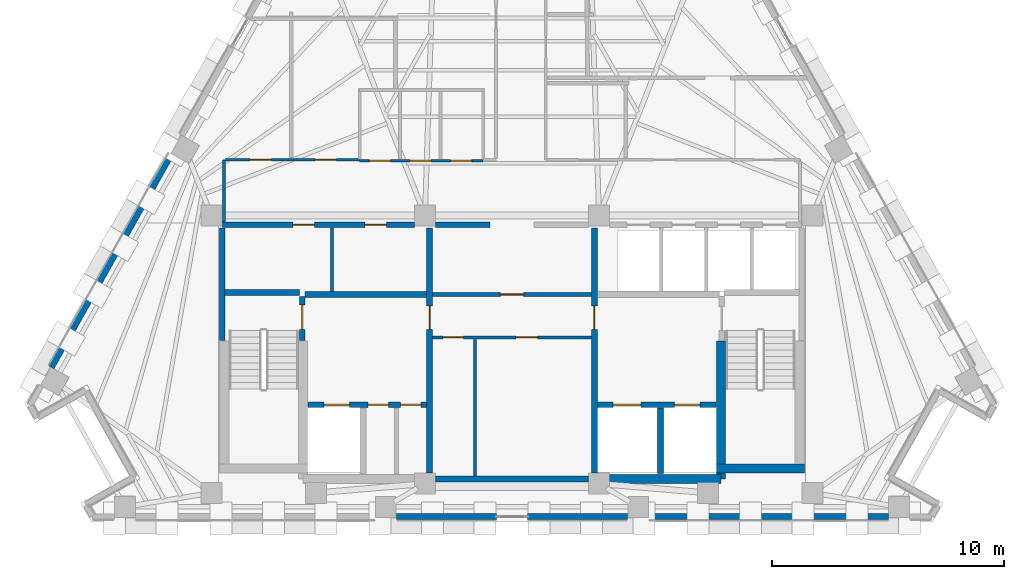
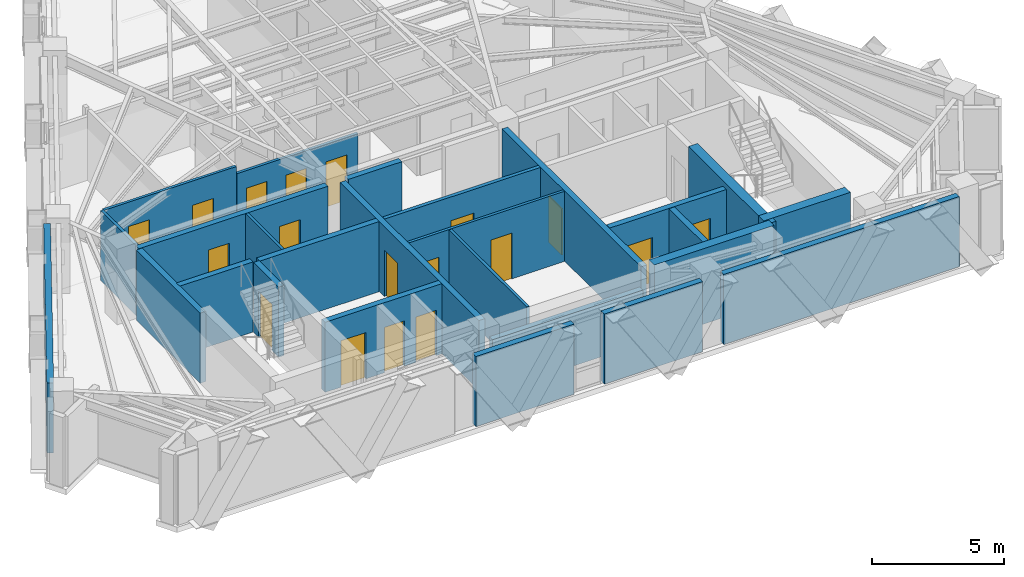
# One storey, part 7 of 12: 26 walls, 18 doors, 18 openings.
"""IFC4 building model written with IfcOpenShell, lengths in metres."""

from ifc_helpers import new_model, si_unit, direction, frame, frame_2d, origin, place, context, subcontext, project, spatial, rectangle, extrude, material, layer, layer_set, type_object, element, fill, save


model = new_model("IFC4")

# Units and contexts
model_context = context("Model", 3, precision=1e-05, world=origin(), true_north=direction((0.0, 1.0)))
body_context = subcontext(model_context, "Body", "Model", "MODEL_VIEW")
ifc_project = project(units=[si_unit("LENGTHUNIT", "METRE"), si_unit("AREAUNIT", "SQUARE_METRE"), si_unit("VOLUMEUNIT", "CUBIC_METRE"), si_unit("PLANEANGLEUNIT", "RADIAN"), si_unit("MASSUNIT", "GRAM", prefix="KILO")], contexts=[model_context])

# Site, building, storey
site_placement = place(None, origin())
site = spatial("IfcSite", under=ifc_project, at=site_placement, CompositionType="ELEMENT")
building_placement = place(site_placement, origin())
building = spatial("IfcBuilding", under=site, at=building_placement, Name="Quenlor Broadcast Tower", CompositionType="ELEMENT")
storey_placement = place(building_placement, frame((0.0, 0.0, 221.89990234375)))
storey = spatial("IfcBuildingStorey", under=building, at=storey_placement, Name="L61", CompositionType="ELEMENT", Elevation=221.89990234375)

# Walls
ifc_material_1 = material(Name="Concrete C50/60", Category="concrete")
ifc_layer_1 = layer(ifc_material_1, 0.39990234375)
ifc_layer_set_1 = layer_set([ifc_layer_1], Name="Core Concrete C50/60 Shear Wall 400")
wall_type_1 = type_object("IfcWallType", Name="Core Concrete C50/60 Shear Wall 400", PredefinedType="SHEAR", material=ifc_layer_set_1)
wall_1_placement = place(storey_placement, frame((3.75, -16.14990234375, 0.0), z_axis=(0.0, 0.0, 1.0), x_axis=(1.0, 0.0, 0.0)))
element("IfcWall", 1, at=wall_1_placement, inside=storey, type_object=wall_type_1, Name="L61 Core Shear Wall WS-E1", PredefinedType="SHEAR", context=body_context, shape_type="SweptSolid", body=[
    extrude(rectangle(XDim=5.25, YDim=0.39990234375, at=frame_2d((2.625, 0.0))), origin(), (0.0, 0.0, 1.0), 3.5),
])
wall_2_placement = place(storey_placement, frame((8.800048828125, -15.699951171875, 0.0), z_axis=(0.0, 0.0, 1.0), x_axis=(1.0, 0.0, 0.0)))
element("IfcWall", 2, at=wall_2_placement, inside=storey, type_object=wall_type_1, Name="L61 Core Shear Wall WS-E2", PredefinedType="SHEAR", context=body_context, shape_type="SweptSolid", body=[
    extrude(rectangle(XDim=3.800048828125, YDim=0.39990234375, at=frame_2d((1.89990234375, 0.0))), origin(), (0.0, 0.0, 1.0), 3.5),
])
wall_3_placement = place(storey_placement, frame((9.0, -16.14990234375, 0.0), z_axis=(0.0, 0.0, 1.0), x_axis=(0.0, 1.0, 0.0)))
element("IfcWall", 3, at=wall_3_placement, inside=storey, type_object=wall_type_1, Name="L61 Core Shear Wall WI-E", PredefinedType="SHEAR", context=body_context, shape_type="SweptSolid", body=[
    extrude(rectangle(XDim=5.949951171875, YDim=0.39990234375, at=frame_2d((2.97509765625, 0.0))), origin(), (0.0, 0.0, 1.0), 3.5),
])

# Wall, opening, door
ifc_material_2 = material(Name="Concrete C40/50", Category="concrete")
ifc_layer_2 = layer(ifc_material_2, 0.25)
ifc_layer_set_2 = layer_set([ifc_layer_2], Name="Fire Rated Concrete C40/50 Core Wall 250")
wall_type_2 = type_object("IfcWallType", Name="Fire Rated Concrete C40/50 Core Wall 250", PredefinedType="PARTITIONING", material=ifc_layer_set_2)
wall_4_placement = place(storey_placement, frame((-9.0400390625, -10.179931640625, 0.0), z_axis=(0.0, 0.0, 1.0), x_axis=(0.0, 1.0, 0.0)))
wall_4 = element("IfcWall", 4, at=wall_4_placement, inside=storey, type_object=wall_type_2, Name="L61 Interior Wall CW-ST1-DR", PredefinedType="PARTITIONING", context=body_context, shape_type="SweptSolid", body=[
    extrude(rectangle(XDim=1.89990234375, YDim=0.25, at=frame_2d((0.949951171875, 0.0))), origin(), (0.0, 0.0, 1.0), 3.25),
])
opening_1_placement = place(wall_4_placement, frame((0.47998046875, 0.0, 0.0)))
opening_1 = element("IfcOpeningElement", 5, at=opening_1_placement, cuts=wall_4, Name="Opening FD-1", PredefinedType="OPENING", context=body_context, shape_type="SweptSolid", body=[
    extrude(rectangle(XDim=1.050048828125, YDim=2.14990234375, at=frame_2d((0.52490234375, 1.074951171875))), frame((0.0, 0.135009765625, 0.0), z_axis=(0.0, -1.0, 0.0), x_axis=(1.0, 0.0, 0.0)), (0.0, 0.0, 1.0), 0.27001953125),
])
ifc_material_3 = material(Name="Fire Rated Steel Door Leaf", Category="steel")
door_type_1 = type_object("IfcDoorType", Name="Fire Isolated Stair Door 1050x2150", OperationType="NOTDEFINED", PredefinedType="DOOR", material=ifc_material_3)
door_1_placement = place(opening_1_placement, origin())
door_1 = element("IfcDoor", 6, at=door_1_placement, inside=storey, type_object=door_type_1, Name="L61 Door DR-ST1", OperationType="SINGLE_SWING_LEFT", OverallHeight=2.14990234375, OverallWidth=1.050048828125, PredefinedType="DOOR", context=body_context, shape_type="SweptSolid", body=[
    extrude(rectangle(XDim=1.050048828125, YDim=2.14990234375, at=frame_2d((0.52490234375, 1.074951171875))), frame((0.0, 0.02490234375, 0.0), z_axis=(0.0, -1.0, 0.0), x_axis=(1.0, 0.0, 0.0)), (0.0, 0.0, 1.0), 0.050048828125),
])
fill(opening_1, door_1)

# Walls
wall_5_placement = place(storey_placement, frame((-12.3798828125, -8.1201171875, 0.0), z_axis=(0.0, 0.0, 1.0), x_axis=(1.0, 0.0, 0.0)))
element("IfcWall", 7, at=wall_5_placement, inside=storey, type_object=wall_type_2, Name="L61 Interior Wall CW-ST1-N", PredefinedType="PARTITIONING", context=body_context, shape_type="SweptSolid", body=[
    extrude(rectangle(XDim=3.219970703125, YDim=0.25, at=frame_2d((1.60986328125, 0.0))), origin(), (0.0, 0.0, 1.0), 3.25),
])
wall_6_placement = place(storey_placement, frame((-12.47998046875, -10.179931640625, 0.0), z_axis=(0.0, 0.0, 1.0), x_axis=(0.0, 1.0, 0.0)))
element("IfcWall", 8, at=wall_6_placement, inside=storey, type_object=wall_type_2, Name="L61 Interior Wall CW-ST1-W2", PredefinedType="PARTITIONING", context=body_context, shape_type="SweptSolid", body=[
    extrude(rectangle(XDim=4.83984375, YDim=0.25, at=frame_2d((2.419921875, 0.0))), origin(), (0.0, 0.0, 1.0), 3.25),
])

# Wall, openings, doors
wall_7_placement = place(storey_placement, frame((-8.798095703125, -12.949951171875, 0.0), z_axis=(0.0, 0.0, 1.0), x_axis=(1.0, 0.0, 0.0)))
wall_7 = element("IfcWall", 9, at=wall_7_placement, inside=storey, type_object=wall_type_2, Name="L61 Interior Wall CW-FFW-S", PredefinedType="PARTITIONING", context=body_context, shape_type="SweptSolid", body=[
    extrude(rectangle(XDim=5.1181640625, YDim=0.25, at=frame_2d((2.55908203125, 0.0))), origin(), (0.0, 0.0, 1.0), 3.25),
])
opening_2_placement = place(wall_7_placement, frame((0.697998046875, 0.0, 0.0)))
opening_2 = element("IfcOpeningElement", 10, at=opening_2_placement, cuts=wall_7, Name="Opening LD-FFL-1", PredefinedType="OPENING", context=body_context, shape_type="SweptSolid", body=[
    extrude(rectangle(XDim=1.10009765625, YDim=2.14990234375, at=frame_2d((0.550048828125, 1.074951171875))), frame((0.0, 0.135009765625, 0.0), z_axis=(0.0, -1.0, 0.0), x_axis=(1.0, 0.0, 0.0)), (0.0, 0.0, 1.0), 0.27001953125),
])
opening_3_placement = place(wall_7_placement, frame((2.597900390625, 0.0, 0.0)))
opening_3 = element("IfcOpeningElement", 11, at=opening_3_placement, cuts=wall_7, Name="Opening TD-1", PredefinedType="OPENING", context=body_context, shape_type="SweptSolid", body=[
    extrude(rectangle(XDim=0.8798828125, YDim=2.10009765625, at=frame_2d((0.43994140625, 1.050048828125))), frame((0.0, 0.135009765625, 0.0), z_axis=(0.0, -1.0, 0.0), x_axis=(1.0, 0.0, 0.0)), (0.0, 0.0, 1.0), 0.27001953125),
])
opening_4_placement = place(wall_7_placement, frame((3.998046875, 0.0, 0.0)))
opening_4 = element("IfcOpeningElement", 12, at=opening_4_placement, cuts=wall_7, Name="Opening TD-1", PredefinedType="OPENING", context=body_context, shape_type="SweptSolid", body=[
    extrude(rectangle(XDim=0.8798828125, YDim=2.10009765625, at=frame_2d((0.43994140625, 1.050048828125))), frame((0.0, 0.135009765625, 0.0), z_axis=(0.0, -1.0, 0.0), x_axis=(1.0, 0.0, 0.0)), (0.0, 0.0, 1.0), 0.27001953125),
])
ifc_material_4 = material(Name="Brushed Stainless Steel", Category="steel")
door_type_2 = type_object("IfcDoorType", Name="Emergency Lift Sliding Landing Door 1100x2150", OperationType="NOTDEFINED", PredefinedType="DOOR", material=ifc_material_4)
door_2_placement = place(opening_2_placement, origin())
door_2 = element("IfcDoor", 13, at=door_2_placement, inside=storey, type_object=door_type_2, Name="L61 Door LD-FFL-1", OperationType="SLIDING_TO_LEFT", OverallHeight=2.14990234375, OverallWidth=1.10009765625, PredefinedType="DOOR", context=body_context, shape_type="SweptSolid", body=[
    extrude(rectangle(XDim=1.10009765625, YDim=2.14990234375, at=frame_2d((0.550048828125, 1.074951171875))), frame((0.0, 0.02490234375, 0.0), z_axis=(0.0, -1.0, 0.0), x_axis=(1.0, 0.0, 0.0)), (0.0, 0.0, 1.0), 0.050048828125),
])
fill(opening_2, door_2)
ifc_material_5 = material(Name="Fire Rated Steel Access Panel", Category="steel")
door_type_3 = type_object("IfcDoorType", Name="Riser Shaft Rated Access Trapdoor 880x2100", OperationType="NOTDEFINED", PredefinedType="TRAPDOOR", material=ifc_material_5)
door_3_placement = place(opening_3_placement, origin())
door_3 = element("IfcDoor", 14, at=door_3_placement, inside=storey, type_object=door_type_3, Name="L61 Door DR-ELR", OperationType="SINGLE_SWING_LEFT", OverallHeight=2.10009765625, OverallWidth=0.8798828125, PredefinedType="TRAPDOOR", context=body_context, shape_type="SweptSolid", body=[
    extrude(rectangle(XDim=0.8798828125, YDim=2.10009765625, at=frame_2d((0.43994140625, 1.050048828125))), frame((0.0, 0.02490234375, 0.0), z_axis=(0.0, -1.0, 0.0), x_axis=(1.0, 0.0, 0.0)), (0.0, 0.0, 1.0), 0.050048828125),
])
fill(opening_3, door_3)
door_4_placement = place(opening_4_placement, origin())
door_4 = element("IfcDoor", 15, at=door_4_placement, inside=storey, type_object=door_type_3, Name="L61 Door DR-CMR", OperationType="SINGLE_SWING_RIGHT", OverallHeight=2.10009765625, OverallWidth=0.8798828125, PredefinedType="TRAPDOOR", context=body_context, shape_type="SweptSolid", body=[
    extrude(rectangle(XDim=0.8798828125, YDim=2.10009765625, at=frame_2d((0.43994140625, 1.050048828125))), frame((0.0, 0.02490234375, 0.0), z_axis=(0.0, -1.0, 0.0), x_axis=(1.0, 0.0, 0.0)), (0.0, 0.0, 1.0), 0.050048828125),
])
fill(opening_4, door_4)

wall_8_placement = place(storey_placement, frame((3.679931640625, -12.949951171875, 0.0), z_axis=(0.0, 0.0, 1.0), x_axis=(1.0, 0.0, 0.0)))
wall_8 = element("IfcWall", 16, at=wall_8_placement, inside=storey, type_object=wall_type_2, Name="L61 Interior Wall CW-FFE-S", PredefinedType="PARTITIONING", context=body_context, shape_type="SweptSolid", body=[
    extrude(rectangle(XDim=5.1181640625, YDim=0.25, at=frame_2d((2.55908203125, 0.0))), origin(), (0.0, 0.0, 1.0), 3.25),
])
opening_5_placement = place(wall_8_placement, frame((3.320068359375, 0.0, 0.0)))
opening_5 = element("IfcOpeningElement", 17, at=opening_5_placement, cuts=wall_8, Name="Opening LD-FFL-2", PredefinedType="OPENING", context=body_context, shape_type="SweptSolid", body=[
    extrude(rectangle(XDim=1.10009765625, YDim=2.14990234375, at=frame_2d((0.550048828125, 1.074951171875))), frame((0.0, 0.135009765625, 0.0), z_axis=(0.0, -1.0, 0.0), x_axis=(1.0, 0.0, 0.0)), (0.0, 0.0, 1.0), 0.27001953125),
])
opening_6_placement = place(wall_8_placement, frame((0.669921875, 0.0, 0.0)))
opening_6 = element("IfcOpeningElement", 18, at=opening_6_placement, cuts=wall_8, Name="Opening LD-SVL-1", PredefinedType="OPENING", context=body_context, shape_type="SweptSolid", body=[
    extrude(rectangle(XDim=1.199951171875, YDim=2.14990234375, at=frame_2d((0.60009765625, 1.074951171875))), frame((0.0, 0.135009765625, 0.0), z_axis=(0.0, -1.0, 0.0), x_axis=(1.0, 0.0, 0.0)), (0.0, 0.0, 1.0), 0.27001953125),
])
door_5_placement = place(opening_5_placement, origin())
door_5 = element("IfcDoor", 19, at=door_5_placement, inside=storey, type_object=door_type_2, Name="L61 Door LD-FFL-2", OperationType="SLIDING_TO_RIGHT", OverallHeight=2.14990234375, OverallWidth=1.10009765625, PredefinedType="DOOR", context=body_context, shape_type="SweptSolid", body=[
    extrude(rectangle(XDim=1.10009765625, YDim=2.14990234375, at=frame_2d((0.550048828125, 1.074951171875))), frame((0.0, 0.02490234375, 0.0), z_axis=(0.0, -1.0, 0.0), x_axis=(1.0, 0.0, 0.0)), (0.0, 0.0, 1.0), 0.050048828125),
])
fill(opening_5, door_5)
ifc_material_6 = material(Name="Brushed Stainless Steel", Category="steel")
door_type_4 = type_object("IfcDoorType", Name="Goods Lift Sliding Landing Door 1200x2150", OperationType="NOTDEFINED", PredefinedType="DOOR", material=ifc_material_6)
door_6_placement = place(opening_6_placement, origin())
door_6 = element("IfcDoor", 20, at=door_6_placement, inside=storey, type_object=door_type_4, Name="L61 Door LD-SVL-1", OperationType="SLIDING_TO_LEFT", OverallHeight=2.14990234375, OverallWidth=1.199951171875, PredefinedType="DOOR", context=body_context, shape_type="SweptSolid", body=[
    extrude(rectangle(XDim=1.199951171875, YDim=2.14990234375, at=frame_2d((0.60009765625, 1.074951171875))), frame((0.0, 0.02490234375, 0.0), z_axis=(0.0, -1.0, 0.0), x_axis=(1.0, 0.0, 0.0)), (0.0, 0.0, 1.0), 0.050048828125),
])
fill(opening_6, door_6)

# Walls
wall_9_placement = place(storey_placement, frame((6.39990234375, -15.919921875, 0.0), z_axis=(0.0, 0.0, 1.0), x_axis=(0.0, 1.0, 0.0)))
element("IfcWall", 21, at=wall_9_placement, inside=storey, type_object=wall_type_2, Name="L61 Interior Wall CW-SV1-E", PredefinedType="PARTITIONING", context=body_context, shape_type="SweptSolid", body=[
    extrude(rectangle(XDim=2.829833984375, YDim=0.25, at=frame_2d((1.4150390625, 0.0))), origin(), (0.0, 0.0, 1.0), 3.25),
])
wall_10_placement = place(storey_placement, frame((-8.919921875, -8.199951171875, 0.0), z_axis=(0.0, 0.0, 1.0), x_axis=(1.0, 0.0, 0.0)))
element("IfcWall", 22, at=wall_10_placement, inside=storey, type_object=wall_type_2, Name="L61 Interior Wall CW-FFW-N", PredefinedType="PARTITIONING", context=body_context, shape_type="SweptSolid", body=[
    extrude(rectangle(XDim=5.239990234375, YDim=0.25, at=frame_2d((2.6201171875, 0.0))), origin(), (0.0, 0.0, 1.0), 3.25),
])

# Wall, opening, door
wall_11_placement = place(storey_placement, frame((-3.550048828125, -15.89794921875, 0.0), z_axis=(0.0, 0.0, 1.0), x_axis=(0.0, 1.0, 0.0)))
wall_11 = element("IfcWall", 23, at=wall_11_placement, inside=storey, type_object=wall_type_2, Name="L61 Interior Wall CW-FFW-E", PredefinedType="PARTITIONING", context=body_context, shape_type="SweptSolid", body=[
    extrude(rectangle(XDim=10.557861328125, YDim=0.25, at=frame_2d((5.27880859375, 0.0))), origin(), (0.0, 0.0, 1.0), 3.25),
])
opening_7_placement = place(wall_11_placement, frame((6.197998046875, 0.0, 0.0)))
opening_7 = element("IfcOpeningElement", 24, at=opening_7_placement, cuts=wall_11, Name="Opening FD-2", PredefinedType="OPENING", context=body_context, shape_type="SweptSolid", body=[
    extrude(rectangle(XDim=1.0, YDim=2.14990234375, at=frame_2d((0.5, 1.074951171875))), frame((0.0, 0.135009765625, 0.0), z_axis=(0.0, -1.0, 0.0), x_axis=(1.0, 0.0, 0.0)), (0.0, 0.0, 1.0), 0.27001953125),
])
ifc_material_7 = material(Name="Fire Rated Glazed Steel Door", Category="steel")
door_type_5 = type_object("IfcDoorType", Name="Firefighting Lobby Smoke Door 1000x2150", OperationType="NOTDEFINED", PredefinedType="DOOR", material=ifc_material_7)
door_7_placement = place(opening_7_placement, origin())
door_7 = element("IfcDoor", 25, at=door_7_placement, inside=storey, type_object=door_type_5, Name="L61 Door DR-FFLW", OperationType="SINGLE_SWING_RIGHT", OverallHeight=2.14990234375, OverallWidth=1.0, PredefinedType="DOOR", context=body_context, shape_type="SweptSolid", body=[
    extrude(rectangle(XDim=1.0, YDim=2.14990234375, at=frame_2d((0.5, 1.074951171875))), frame((0.0, 0.02490234375, 0.0), z_axis=(0.0, -1.0, 0.0), x_axis=(1.0, 0.0, 0.0)), (0.0, 0.0, 1.0), 0.050048828125),
])
fill(opening_7, door_7)

wall_12_placement = place(storey_placement, frame((3.550048828125, -15.89794921875, 0.0), z_axis=(0.0, 0.0, 1.0), x_axis=(0.0, 1.0, 0.0)))
wall_12 = element("IfcWall", 26, at=wall_12_placement, inside=storey, type_object=wall_type_2, Name="L61 Interior Wall CW-FFE-W", PredefinedType="PARTITIONING", context=body_context, shape_type="SweptSolid", body=[
    extrude(rectangle(XDim=10.557861328125, YDim=0.25, at=frame_2d((5.27880859375, 0.0))), origin(), (0.0, 0.0, 1.0), 3.25),
])
opening_8_placement = place(wall_12_placement, frame((6.197998046875, 0.0, 0.0)))
opening_8 = element("IfcOpeningElement", 27, at=opening_8_placement, cuts=wall_12, Name="Opening FD-2", PredefinedType="OPENING", context=body_context, shape_type="SweptSolid", body=[
    extrude(rectangle(XDim=1.0, YDim=2.14990234375, at=frame_2d((0.5, 1.074951171875))), frame((0.0, 0.135009765625, 0.0), z_axis=(0.0, -1.0, 0.0), x_axis=(1.0, 0.0, 0.0)), (0.0, 0.0, 1.0), 0.27001953125),
])
door_8_placement = place(opening_8_placement, origin())
door_8 = element("IfcDoor", 28, at=door_8_placement, inside=storey, type_object=door_type_5, Name="L61 Door DR-FFLE", OperationType="SINGLE_SWING_LEFT", OverallHeight=2.14990234375, OverallWidth=1.0, PredefinedType="DOOR", context=body_context, shape_type="SweptSolid", body=[
    extrude(rectangle(XDim=1.0, YDim=2.14990234375, at=frame_2d((0.5, 1.074951171875))), frame((0.0, 0.02490234375, 0.0), z_axis=(0.0, -1.0, 0.0), x_axis=(1.0, 0.0, 0.0)), (0.0, 0.0, 1.0), 0.050048828125),
])
fill(opening_8, door_8)

# Wall, openings, doors
wall_13_placement = place(storey_placement, frame((-12.47998046875, -5.199951171875, 0.0), z_axis=(0.0, 0.0, 1.0), x_axis=(1.0, 0.0, 0.0)))
wall_13 = element("IfcWall", 29, at=wall_13_placement, inside=storey, type_object=wall_type_2, Name="L61 Interior Wall CW-N-W", PredefinedType="PARTITIONING", context=body_context, shape_type="SweptSolid", body=[
    extrude(rectangle(XDim=8.278076171875, YDim=0.25, at=frame_2d((4.13916015625, 0.0))), origin(), (0.0, 0.0, 1.0), 3.25),
])
opening_9_placement = place(wall_13_placement, frame((3.050048828125, 0.0, 0.0)))
opening_9 = element("IfcOpeningElement", 30, at=opening_9_placement, cuts=wall_13, Name="Opening ID-1", PredefinedType="OPENING", context=body_context, shape_type="SweptSolid", body=[
    extrude(rectangle(XDim=0.919921875, YDim=2.1201171875, at=frame_2d((0.4599609375, 1.06005859375))), frame((0.0, 0.135009765625, 0.0), z_axis=(0.0, -1.0, 0.0), x_axis=(1.0, 0.0, 0.0)), (0.0, 0.0, 1.0), 0.27001953125),
])
opening_10_placement = place(wall_13_placement, frame((6.14990234375, 0.0, 0.0)))
opening_10 = element("IfcOpeningElement", 31, at=opening_10_placement, cuts=wall_13, Name="Opening ID-1", PredefinedType="OPENING", context=body_context, shape_type="SweptSolid", body=[
    extrude(rectangle(XDim=0.919921875, YDim=2.1201171875, at=frame_2d((0.4599609375, 1.06005859375))), frame((0.0, 0.135009765625, 0.0), z_axis=(0.0, -1.0, 0.0), x_axis=(1.0, 0.0, 0.0)), (0.0, 0.0, 1.0), 0.27001953125),
])
ifc_material_8 = material(Name="Solid Core Timber Oak", Category="wood")
door_type_6 = type_object("IfcDoorType", Name="Single Leaf Timber Office Door 920x2120", OperationType="NOTDEFINED", PredefinedType="DOOR", material=ifc_material_8)
door_9_placement = place(opening_9_placement, origin())
door_9 = element("IfcDoor", 32, at=door_9_placement, inside=storey, type_object=door_type_6, Name="L61 Door DR-RCL1", OperationType="SINGLE_SWING_LEFT", OverallHeight=2.1201171875, OverallWidth=0.919921875, PredefinedType="DOOR", context=body_context, shape_type="SweptSolid", body=[
    extrude(rectangle(XDim=0.919921875, YDim=2.1201171875, at=frame_2d((0.4599609375, 1.06005859375))), frame((0.0, 0.02490234375, 0.0), z_axis=(0.0, -1.0, 0.0), x_axis=(1.0, 0.0, 0.0)), (0.0, 0.0, 1.0), 0.050048828125),
])
fill(opening_9, door_9)
door_10_placement = place(opening_10_placement, origin())
door_10 = element("IfcDoor", 33, at=door_10_placement, inside=storey, type_object=door_type_6, Name="L61 Door DR-RCL2", OperationType="SINGLE_SWING_RIGHT", OverallHeight=2.1201171875, OverallWidth=0.919921875, PredefinedType="DOOR", context=body_context, shape_type="SweptSolid", body=[
    extrude(rectangle(XDim=0.919921875, YDim=2.1201171875, at=frame_2d((0.4599609375, 1.06005859375))), frame((0.0, 0.02490234375, 0.0), z_axis=(0.0, -1.0, 0.0), x_axis=(1.0, 0.0, 0.0)), (0.0, 0.0, 1.0), 0.050048828125),
])
fill(opening_10, door_10)

# Walls
wall_14_placement = place(storey_placement, frame((-3.298095703125, -5.199951171875, 0.0), z_axis=(0.0, 0.0, 1.0), x_axis=(1.0, 0.0, 0.0)))
element("IfcWall", 34, at=wall_14_placement, inside=storey, type_object=wall_type_2, Name="L61 Interior Wall CW-N-M1", PredefinedType="PARTITIONING", context=body_context, shape_type="SweptSolid", body=[
    extrude(rectangle(XDim=2.34814453125, YDim=0.25, at=frame_2d((1.174072265625, 0.0))), origin(), (0.0, 0.0, 1.0), 3.25),
])
wall_15_placement = place(storey_placement, frame((-3.298095703125, -16.14990234375, 0.0), z_axis=(0.0, 0.0, 1.0), x_axis=(1.0, 0.0, 0.0)))
element("IfcWall", 35, at=wall_15_placement, inside=storey, type_object=wall_type_2, Name="L61 Interior Wall CW-MS-S", PredefinedType="PARTITIONING", context=body_context, shape_type="SweptSolid", body=[
    extrude(rectangle(XDim=6.59619140625, YDim=0.25, at=frame_2d((3.298095703125, 0.0))), origin(), (0.0, 0.0, 1.0), 2.4501953125),
])

# Wall, opening, door
ifc_material_9 = material(Name="Gypsum Fireboard Partition", Category="other")
ifc_layer_3 = layer(ifc_material_9, 0.159912109375)
ifc_layer_set_3 = layer_set([ifc_layer_3], Name="Fire Rated Shaft and Corridor Partition 160")
wall_type_3 = type_object("IfcWallType", Name="Fire Rated Shaft and Corridor Partition 160", PredefinedType="PARTITIONING", material=ifc_layer_set_3)
wall_16_placement = place(storey_placement, frame((-3.419921875, -8.199951171875, 0.0), z_axis=(0.0, 0.0, 1.0), x_axis=(1.0, 0.0, 0.0)))
wall_16 = element("IfcWall", 36, at=wall_16_placement, inside=storey, type_object=wall_type_3, Name="L61 Interior Wall CW-M-BACK", PredefinedType="PARTITIONING", context=body_context, shape_type="SweptSolid", body=[
    extrude(rectangle(XDim=6.83984375, YDim=0.159912109375, at=frame_2d((3.419921875, 0.0))), origin(), (0.0, 0.0, 1.0), 3.25),
])
opening_11_placement = place(wall_16_placement, frame((2.919921875, 0.0, 0.0)))
opening_11 = element("IfcOpeningElement", 37, at=opening_11_placement, cuts=wall_16, Name="Opening FD-2", PredefinedType="OPENING", context=body_context, shape_type="SweptSolid", body=[
    extrude(rectangle(XDim=1.0, YDim=2.14990234375, at=frame_2d((0.5, 1.074951171875))), frame((0.0, 0.08984375, 0.0), z_axis=(0.0, -1.0, 0.0), x_axis=(1.0, 0.0, 0.0)), (0.0, 0.0, 1.0), 0.179931640625),
])
door_11_placement = place(opening_11_placement, origin())
door_11 = element("IfcDoor", 38, at=door_11_placement, inside=storey, type_object=door_type_5, Name="L61 Door DR-CCRP", OperationType="SINGLE_SWING_LEFT", OverallHeight=2.14990234375, OverallWidth=1.0, PredefinedType="DOOR", context=body_context, shape_type="SweptSolid", body=[
    extrude(rectangle(XDim=1.0, YDim=2.14990234375, at=frame_2d((0.5, 1.074951171875))), frame((0.0, 0.02490234375, 0.0), z_axis=(0.0, -1.0, 0.0), x_axis=(1.0, 0.0, 0.0)), (0.0, 0.0, 1.0), 0.050048828125),
])
fill(opening_11, door_11)

# Wall
ifc_material_10 = material(Name="Gypsum Plasterboard Partition", Category="other")
ifc_layer_4 = layer(ifc_material_10, 0.1201171875)
ifc_layer_set_4 = layer_set([ifc_layer_4], Name="Standard Office Partition 120")
wall_type_4 = type_object("IfcWallType", Name="Standard Office Partition 120", PredefinedType="PARTITIONING", material=ifc_layer_set_4)
wall_17_placement = place(storey_placement, frame((-7.75, -8.072998046875, 0.0), z_axis=(0.0, 0.0, 1.0), x_axis=(0.0, 1.0, 0.0)))
element("IfcWall", 39, at=wall_17_placement, inside=storey, type_object=wall_type_4, Name="L61 Interior Wall CW-RCL-MID", PredefinedType="PARTITIONING", context=body_context, shape_type="SweptSolid", body=[
    extrude(rectangle(XDim=2.73291015625, YDim=0.1201171875, at=frame_2d((1.366455078125, 0.0))), origin(), (0.0, 0.0, 1.0), 3.25),
])

# Wall, openings, doors
wall_18_placement = place(storey_placement, frame((-3.419921875, -10.050048828125, 0.0), z_axis=(0.0, 0.0, 1.0), x_axis=(1.0, 0.0, 0.0)))
wall_18 = element("IfcWall", 40, at=wall_18_placement, inside=storey, type_object=wall_type_4, Name="L61 Interior Wall CW-MS-N", PredefinedType="PARTITIONING", context=body_context, shape_type="SweptSolid", body=[
    extrude(rectangle(XDim=6.83984375, YDim=0.1201171875, at=frame_2d((3.419921875, 0.0))), origin(), (0.0, 0.0, 1.0), 3.25),
])
opening_12_placement = place(wall_18_placement, frame((0.449951171875, 0.0, 0.0)))
opening_12 = element("IfcOpeningElement", 41, at=opening_12_placement, cuts=wall_18, Name="Opening ID-4", PredefinedType="OPENING", context=body_context, shape_type="SweptSolid", body=[
    extrude(rectangle(XDim=0.8798828125, YDim=2.1201171875, at=frame_2d((0.43994140625, 1.06005859375))), frame((0.0, 0.070068359375, 0.0), z_axis=(0.0, -1.0, 0.0), x_axis=(1.0, 0.0, 0.0)), (0.0, 0.0, 1.0), 0.14013671875),
])
opening_13_placement = place(wall_18_placement, frame((3.60009765625, 0.0, 0.0)))
opening_13 = element("IfcOpeningElement", 42, at=opening_13_placement, cuts=wall_18, Name="Opening ID-1", PredefinedType="OPENING", context=body_context, shape_type="SweptSolid", body=[
    extrude(rectangle(XDim=0.919921875, YDim=2.1201171875, at=frame_2d((0.4599609375, 1.06005859375))), frame((0.0, 0.070068359375, 0.0), z_axis=(0.0, -1.0, 0.0), x_axis=(1.0, 0.0, 0.0)), (0.0, 0.0, 1.0), 0.14013671875),
])
ifc_material_11 = material(Name="Solid Core Timber Oak", Category="wood")
door_type_7 = type_object("IfcDoorType", Name="Service Closet Timber Door 880x2120", OperationType="NOTDEFINED", PredefinedType="DOOR", material=ifc_material_11)
door_12_placement = place(opening_12_placement, origin())
door_12 = element("IfcDoor", 43, at=door_12_placement, inside=storey, type_object=door_type_7, Name="L61 Door DR-RCMA", OperationType="SINGLE_SWING_LEFT", OverallHeight=2.1201171875, OverallWidth=0.8798828125, PredefinedType="DOOR", context=body_context, shape_type="SweptSolid", body=[
    extrude(rectangle(XDim=0.8798828125, YDim=2.1201171875, at=frame_2d((0.43994140625, 1.06005859375))), frame((0.0, 0.02490234375, 0.0), z_axis=(0.0, -1.0, 0.0), x_axis=(1.0, 0.0, 0.0)), (0.0, 0.0, 1.0), 0.050048828125),
])
fill(opening_12, door_12)
door_13_placement = place(opening_13_placement, origin())
door_13 = element("IfcDoor", 44, at=door_13_placement, inside=storey, type_object=door_type_6, Name="L61 Door DR-RCMB", OperationType="SINGLE_SWING_RIGHT", OverallHeight=2.1201171875, OverallWidth=0.919921875, PredefinedType="DOOR", context=body_context, shape_type="SweptSolid", body=[
    extrude(rectangle(XDim=0.919921875, YDim=2.1201171875, at=frame_2d((0.4599609375, 1.06005859375))), frame((0.0, 0.02490234375, 0.0), z_axis=(0.0, -1.0, 0.0), x_axis=(1.0, 0.0, 0.0)), (0.0, 0.0, 1.0), 0.050048828125),
])
fill(opening_13, door_13)

# Wall
wall_19_placement = place(storey_placement, frame((-1.60009765625, -16.02001953125, 0.0), z_axis=(0.0, 0.0, 1.0), x_axis=(0.0, 1.0, 0.0)))
element("IfcWall", 45, at=wall_19_placement, inside=storey, type_object=wall_type_4, Name="L61 Interior Wall CW-RCM-X1", PredefinedType="PARTITIONING", context=body_context, shape_type="SweptSolid", body=[
    extrude(rectangle(XDim=5.89013671875, YDim=0.1201171875, at=frame_2d((2.945068359375, 0.0))), origin(), (0.0, 0.0, 1.0), 3.25),
])

# Wall, openings, doors
wall_20_placement = place(storey_placement, frame((-6.56005859375, -2.43994140625, 0.0), z_axis=(0.0, 0.0, 1.0), x_axis=(1.0, 0.0, 0.0)))
wall_20 = element("IfcWall", 46, at=wall_20_placement, inside=storey, type_object=wall_type_4, Name="L61 Interior Wall PW-WC-S", PredefinedType="PARTITIONING", context=body_context, shape_type="SweptSolid", body=[
    extrude(rectangle(XDim=5.320068359375, YDim=0.1201171875, at=frame_2d((2.66015625, 0.0))), origin(), (0.0, 0.0, 1.0), 2.94287109375),
])
opening_14_placement = place(wall_20_placement, frame((0.419921875, 0.0, 0.0)))
opening_14 = element("IfcOpeningElement", 47, at=opening_14_placement, cuts=wall_20, Name="Opening ID-3", PredefinedType="OPENING", context=body_context, shape_type="SweptSolid", body=[
    extrude(rectangle(XDim=0.89990234375, YDim=2.1201171875, at=frame_2d((0.449951171875, 1.06005859375))), frame((0.0, 0.070068359375, 0.0), z_axis=(0.0, -1.0, 0.0), x_axis=(1.0, 0.0, 0.0)), (0.0, 0.0, 1.0), 0.14013671875),
])
opening_15_placement = place(wall_20_placement, frame((2.159912109375, 0.0, 0.0)))
opening_15 = element("IfcOpeningElement", 48, at=opening_15_placement, cuts=wall_20, Name="Opening ID-3", PredefinedType="OPENING", context=body_context, shape_type="SweptSolid", body=[
    extrude(rectangle(XDim=0.89990234375, YDim=2.1201171875, at=frame_2d((0.449951171875, 1.06005859375))), frame((0.0, 0.070068359375, 0.0), z_axis=(0.0, -1.0, 0.0), x_axis=(1.0, 0.0, 0.0)), (0.0, 0.0, 1.0), 0.14013671875),
])
opening_16_placement = place(wall_20_placement, frame((3.919921875, 0.0, 0.0)))
opening_16 = element("IfcOpeningElement", 49, at=opening_16_placement, cuts=wall_20, Name="Opening ID-3", PredefinedType="OPENING", context=body_context, shape_type="SweptSolid", body=[
    extrude(rectangle(XDim=0.89990234375, YDim=2.1201171875, at=frame_2d((0.449951171875, 1.06005859375))), frame((0.0, 0.070068359375, 0.0), z_axis=(0.0, -1.0, 0.0), x_axis=(1.0, 0.0, 0.0)), (0.0, 0.0, 1.0), 0.14013671875),
])
ifc_material_12 = material(Name="Moisture Resistant Timber Oak", Category="wood")
door_type_8 = type_object("IfcDoorType", Name="Washroom Privacy Door 900x2120", OperationType="NOTDEFINED", PredefinedType="DOOR", material=ifc_material_12)
door_14_placement = place(opening_14_placement, origin())
door_14 = element("IfcDoor", 50, at=door_14_placement, inside=storey, type_object=door_type_8, Name="L61 Door DR-FWC", OperationType="SINGLE_SWING_LEFT", OverallHeight=2.1201171875, OverallWidth=0.89990234375, PredefinedType="DOOR", context=body_context, shape_type="SweptSolid", body=[
    extrude(rectangle(XDim=0.89990234375, YDim=2.1201171875, at=frame_2d((0.449951171875, 1.06005859375))), frame((0.0, 0.02490234375, 0.0), z_axis=(0.0, -1.0, 0.0), x_axis=(1.0, 0.0, 0.0)), (0.0, 0.0, 1.0), 0.050048828125),
])
fill(opening_14, door_14)
door_15_placement = place(opening_15_placement, origin())
door_15 = element("IfcDoor", 51, at=door_15_placement, inside=storey, type_object=door_type_8, Name="L61 Door DR-MWC", OperationType="SINGLE_SWING_RIGHT", OverallHeight=2.1201171875, OverallWidth=0.89990234375, PredefinedType="DOOR", context=body_context, shape_type="SweptSolid", body=[
    extrude(rectangle(XDim=0.89990234375, YDim=2.1201171875, at=frame_2d((0.449951171875, 1.06005859375))), frame((0.0, 0.02490234375, 0.0), z_axis=(0.0, -1.0, 0.0), x_axis=(1.0, 0.0, 0.0)), (0.0, 0.0, 1.0), 0.050048828125),
])
fill(opening_15, door_15)
door_16_placement = place(opening_16_placement, origin())
door_16 = element("IfcDoor", 52, at=door_16_placement, inside=storey, type_object=door_type_8, Name="L61 Door DR-AWC", OperationType="SINGLE_SWING_RIGHT", OverallHeight=2.1201171875, OverallWidth=0.89990234375, PredefinedType="DOOR", context=body_context, shape_type="SweptSolid", body=[
    extrude(rectangle(XDim=0.89990234375, YDim=2.1201171875, at=frame_2d((0.449951171875, 1.06005859375))), frame((0.0, 0.02490234375, 0.0), z_axis=(0.0, -1.0, 0.0), x_axis=(1.0, 0.0, 0.0)), (0.0, 0.0, 1.0), 0.050048828125),
])
fill(opening_16, door_16)

# Wall
wall_21_placement = place(storey_placement, frame((-12.409912109375, -5.072998046875, 0.0), z_axis=(0.0, 0.0, 1.0), x_axis=(0.0, 1.0, 0.0)))
element("IfcWall", 53, at=wall_21_placement, inside=storey, type_object=wall_type_4, Name="L61 Interior Wall PW-CR-01", PredefinedType="PARTITIONING", context=body_context, shape_type="SweptSolid", body=[
    extrude(rectangle(XDim=2.673095703125, YDim=0.1201171875, at=frame_2d((1.33642578125, 0.0))), origin(), (0.0, 0.0, 1.0), 3.25),
])

# Wall, openings, doors
wall_22_placement = place(storey_placement, frame((-12.347900390625, -2.39990234375, 0.0), z_axis=(0.0, 0.0, 1.0), x_axis=(1.0, 0.0, 0.0)))
wall_22 = element("IfcWall", 54, at=wall_22_placement, inside=storey, type_object=wall_type_4, Name="L61 Interior Wall PW-CR-02", PredefinedType="PARTITIONING", context=body_context, shape_type="SweptSolid", body=[
    extrude(rectangle(XDim=5.785888671875, YDim=0.1201171875, at=frame_2d((2.89306640625, 0.0))), origin(), (0.0, 0.0, 1.0), 3.25),
])
opening_17_placement = place(wall_22_placement, frame((3.863037109375, 0.0, 0.0)))
opening_17 = element("IfcOpeningElement", 55, at=opening_17_placement, cuts=wall_22, Name="Opening ID-1", PredefinedType="OPENING", context=body_context, shape_type="SweptSolid", body=[
    extrude(rectangle(XDim=0.919921875, YDim=2.1201171875, at=frame_2d((0.4599609375, 1.06005859375))), frame((0.0, 0.070068359375, 0.0), z_axis=(0.0, -1.0, 0.0), x_axis=(1.0, 0.0, 0.0)), (0.0, 0.0, 1.0), 0.14013671875),
])
opening_18_placement = place(wall_22_placement, frame((1.056884765625, 0.0, 0.0)))
opening_18 = element("IfcOpeningElement", 56, at=opening_18_placement, cuts=wall_22, Name="Opening ID-1", PredefinedType="OPENING", context=body_context, shape_type="SweptSolid", body=[
    extrude(rectangle(XDim=0.919921875, YDim=2.1201171875, at=frame_2d((0.4599609375, 1.06005859375))), frame((0.0, 0.070068359375, 0.0), z_axis=(0.0, -1.0, 0.0), x_axis=(1.0, 0.0, 0.0)), (0.0, 0.0, 1.0), 0.14013671875),
])
door_17_placement = place(opening_17_placement, origin())
door_17 = element("IfcDoor", 57, at=door_17_placement, inside=storey, type_object=door_type_6, Name="L61 Door DR-RM04", OperationType="SINGLE_SWING_RIGHT", OverallHeight=2.1201171875, OverallWidth=0.919921875, PredefinedType="DOOR", context=body_context, shape_type="SweptSolid", body=[
    extrude(rectangle(XDim=0.919921875, YDim=2.1201171875, at=frame_2d((0.4599609375, 1.06005859375))), frame((0.0, 0.02490234375, 0.0), z_axis=(0.0, -1.0, 0.0), x_axis=(1.0, 0.0, 0.0)), (0.0, 0.0, 1.0), 0.050048828125),
])
fill(opening_17, door_17)
door_18_placement = place(opening_18_placement, origin())
door_18 = element("IfcDoor", 58, at=door_18_placement, inside=storey, type_object=door_type_6, Name="L61 Door DR-RM07", OperationType="SINGLE_SWING_LEFT", OverallHeight=2.1201171875, OverallWidth=0.919921875, PredefinedType="DOOR", context=body_context, shape_type="SweptSolid", body=[
    extrude(rectangle(XDim=0.919921875, YDim=2.1201171875, at=frame_2d((0.4599609375, 1.06005859375))), frame((0.0, 0.02490234375, 0.0), z_axis=(0.0, -1.0, 0.0), x_axis=(1.0, 0.0, 0.0)), (0.0, 0.0, 1.0), 0.050048828125),
])
fill(opening_18, door_18)

# Walls
ifc_material_13 = material(Name="Precast concrete C40/50", Category="concrete")
ifc_layer_5 = layer(ifc_material_13, 0.260009765625)
ifc_layer_set_5 = layer_set([ifc_layer_5], Name="Terracotta Precast Concrete C40/50 Upper Wall 260")
wall_type_5 = type_object("IfcWallType", Name="Terracotta Precast Concrete C40/50 Upper Wall 260", PredefinedType="STANDARD", material=ifc_layer_set_5)
wall_23_placement = place(storey_placement, frame((16.220947265625, -17.77490234375, 0.0), z_axis=(0.0, 0.0, 1.0), x_axis=(-1.0, 0.0, 0.0)))
element("IfcWall", 59, at=wall_23_placement, inside=storey, type_object=wall_type_5, Name="L61 Exterior Wall L61-EW-SA", PredefinedType="STANDARD", context=body_context, shape_type="SweptSolid", body=[
    extrude(rectangle(XDim=10.328125, YDim=0.260009765625, at=frame_2d((5.1640625, 0.0))), origin(), (0.0, 0.0, 1.0), 3.25),
])
for number, where, z_axis, x_axis, name in (
    (60, (4.9677734375, -17.77490234375, 0.0), (0.0, 0.0, 1.0), (-1.0, 0.0, 0.0), "L61 Exterior Wall L61-S-SP1"),
    (61, (-0.662353515625, -17.77490234375, 0.0), (0.0, 0.0, 1.0), (-1.0, 0.0, 0.0), "L61 Exterior Wall L61-S-SP2"),
):
    element("IfcWall", number, at=place(storey_placement, frame(where, z_axis=z_axis, x_axis=x_axis)), inside=storey, type_object=wall_type_5, Name=name, PredefinedType="STANDARD", context=body_context, shape_type="SweptSolid", body=[
        extrude(rectangle(XDim=4.305419921875, YDim=0.260009765625, at=frame_2d((2.15283203125, 0.0))), origin(), (0.0, 0.0, 1.0), 3.25),
    ])
wall_24_placement = place(storey_placement, frame((-19.84375, -11.3369140625, 0.0), z_axis=(0.0, 0.0, 1.0), x_axis=(0.490246958575, 0.871583570066, 0.0)))
element("IfcWall", 62, at=wall_24_placement, inside=storey, type_object=wall_type_5, Name="L61 Exterior Wall L61-EW-NWA", PredefinedType="STANDARD", context=body_context, shape_type="SweptSolid", body=[
    extrude(rectangle(XDim=10.551513671875, YDim=0.260009765625, at=frame_2d((5.27587890625, 0.0))), origin(), (0.0, 0.0, 1.0), 3.25),
])

save(model, "model.ifc")
